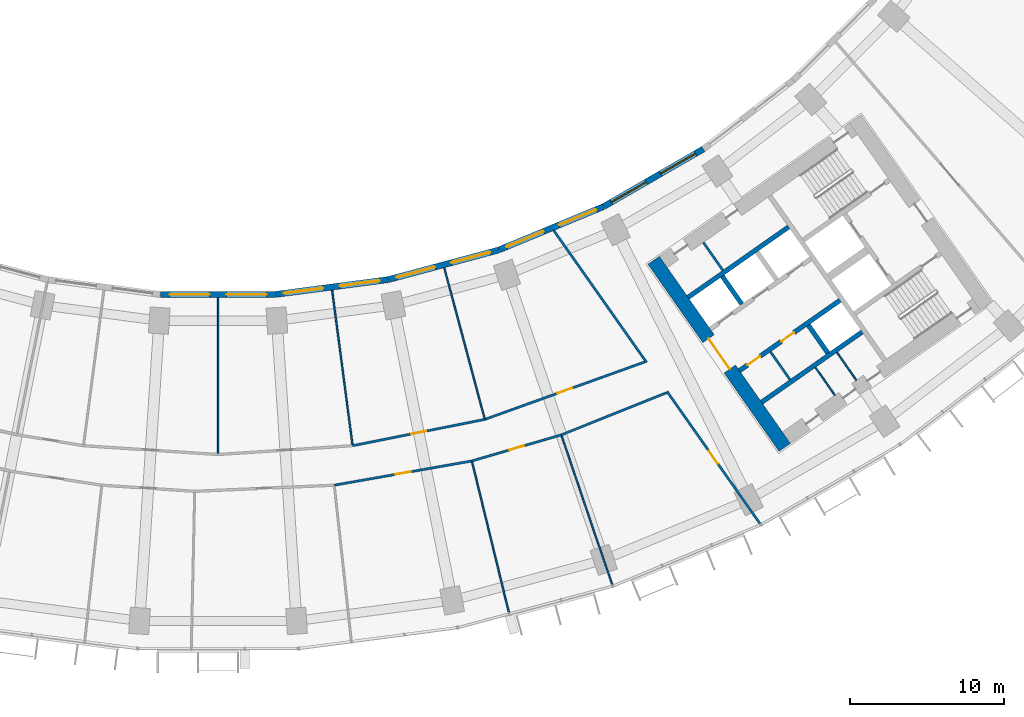
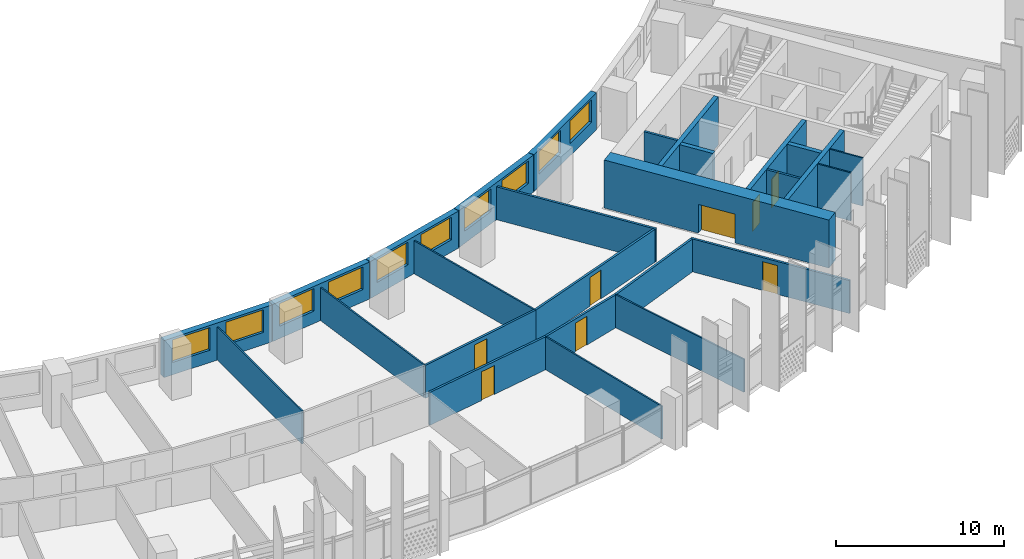
# One storey, part 6 of 31: 27 walls, 10 windows, 8 doors, 18 openings.
"""IFC4 building model written with IfcOpenShell, lengths in metres."""

import ifcopenshell
import ifcopenshell.guid

model = None  # the IFC model being written
_history = None  # IfcOwnerHistory: only IFC2X3 demands one
_inside = {}  # id of a spatial element -> (the spatial element, [elements in it])
_under = {}  # id of a project, library or spatial element -> (it, [spatial elements below it])
_declared = {}  # id of a project -> (the project, [libraries it declares])
_typed = {}  # id of a type object -> (the type object, [elements of that type])
_made_of = {}  # id of a material, layer set ... -> (it, [elements and type objects made of it])


def new_model(schema):
    """Start an empty IFC model of exactly this schema.

    Asked for "IFC4X3", IfcOpenShell would pick the latest addendum, in which some entities
    have other attributes; the version numbers below select the first issue.
    IFC2X3 requires an IfcOwnerHistory on every rooted entity: one is made here for all.
    """
    global model, _history
    if schema == "IFC4X3":
        model = ifcopenshell.file(schema_version=(4, 3, 0, 0))
    else:
        model = ifcopenshell.file(schema=schema)
    _inside.clear()
    _under.clear()
    _declared.clear()
    _typed.clear()
    _made_of.clear()
    _history = None
    if model.schema == "IFC2X3":
        org = make("IfcOrganization", Name="unknown")
        user = make(
            "IfcPersonAndOrganization",
            ThePerson=make("IfcPerson", FamilyName="unknown"),
            TheOrganization=org,
        )
        app = make(
            "IfcApplication",
            ApplicationDeveloper=org,
            Version="unknown",
            ApplicationFullName="unknown",
            ApplicationIdentifier="unknown",
        )
        _history = make(
            "IfcOwnerHistory",
            OwningUser=user,
            OwningApplication=app,
            ChangeAction="ADDED",
            CreationDate=0,
        )
    return model


def make(cls, **values):
    """One entity of the class cls with the attributes given. An attribute that is None is left unset."""
    return model.create_entity(
        cls, **{name: value for name, value in values.items() if value is not None}
    )


def rooted(cls, **values):
    """An entity with a GlobalId (a new one), such as an element, a storey or a relation."""
    return make(cls, GlobalId=ifcopenshell.guid.new(), OwnerHistory=_history, **values)


def si_unit(unit_type, name, prefix=None):
    """IfcSIUnit, for example si_unit("LENGTHUNIT", "METRE", prefix="MILLI")."""
    return make("IfcSIUnit", UnitType=unit_type, Prefix=prefix, Name=name)


def assignment(units):
    """IfcUnitAssignment: the units of a project."""
    return None if units is None else make("IfcUnitAssignment", Units=units)


def point(xyz):
    """IfcCartesianPoint."""
    return None if xyz is None else make("IfcCartesianPoint", Coordinates=xyz)


def direction(xyz):
    """IfcDirection."""
    return None if xyz is None else make("IfcDirection", DirectionRatios=xyz)


def frame(location, z_axis=None, x_axis=None):
    """IfcAxis2Placement3D, a coordinate frame: its origin and axes. An axis left out is left unset."""
    return make(
        "IfcAxis2Placement3D",
        Location=point(location),
        Axis=direction(z_axis),
        RefDirection=direction(x_axis),
    )


def frame_2d(location, x_axis=None):
    """IfcAxis2Placement2D, a coordinate frame in the plane: its origin and x axis."""
    return make(
        "IfcAxis2Placement2D", Location=point(location), RefDirection=direction(x_axis)
    )


def origin():
    """The frame at (0, 0, 0) with its axes left unset."""
    return frame((0.0, 0.0, 0.0))


def place(relative_to, where):
    """IfcLocalPlacement: puts the frame where relative to a parent placement (None: the world)."""
    return make(
        "IfcLocalPlacement", PlacementRelTo=relative_to, RelativePlacement=where
    )


def context(
    kind, dimensions, precision=None, world=None, true_north=None, identifier=None
):
    """IfcGeometricRepresentationContext, for example the 3D "Model" context."""
    return make(
        "IfcGeometricRepresentationContext",
        ContextIdentifier=identifier,
        ContextType=kind,
        CoordinateSpaceDimension=dimensions,
        Precision=precision,
        WorldCoordinateSystem=world,
        TrueNorth=true_north,
    )


def subcontext(parent, identifier, kind, view, scale=None):
    """IfcGeometricRepresentationSubContext, for example "Body" below "Model"."""
    return make(
        "IfcGeometricRepresentationSubContext",
        ContextIdentifier=identifier,
        ContextType=kind,
        ParentContext=parent,
        TargetScale=scale,
        TargetView=view,
    )


def project(units=None, contexts=None):
    """IfcProject with its units and contexts."""
    return rooted(
        "IfcProject",
        Name="project",
        RepresentationContexts=contexts,
        UnitsInContext=assignment(units),
    )


def spatial(cls, under=None, at=None, **own):
    """A site, building, storey or space (cls), placed at a placement, below another one or the project."""
    s = rooted(cls, ObjectPlacement=at, **own)
    if under is not None:
        _under.setdefault(under.id(), (under, []))[1].append(s)
    return s


def profile(cls, at=None, kind="AREA", **sizes):
    """A parametric profile (cls). Its sizes go by their IFC names, for example OverallWidth=200.0."""
    return make(cls, ProfileType=kind, Position=at, **sizes)


def rectangle(**sizes):
    """IfcRectangleProfileDef."""
    return profile("IfcRectangleProfileDef", **sizes)


def extrude(swept, where, along, depth):
    """IfcExtrudedAreaSolid: the profile swept, set in the frame where, extruded along a direction by depth."""
    return make(
        "IfcExtrudedAreaSolid",
        SweptArea=swept,
        Position=where,
        ExtrudedDirection=direction(along),
        Depth=depth,
    )


def shape(context_of_items, identifier, shape_type, items):
    """IfcShapeRepresentation: the items that make up one representation, for example the "Body"."""
    return make(
        "IfcShapeRepresentation",
        ContextOfItems=context_of_items,
        RepresentationIdentifier=identifier,
        RepresentationType=shape_type,
        Items=items,
    )


def material(Name=None, Category=None):
    """IfcMaterial."""
    return make("IfcMaterial", Name=Name, Category=Category)


def layer(
    of_material, thickness, ventilated=None, Name=None, Category=None, Priority=None
):
    """IfcMaterialLayer: one layer of a wall or slab, of a material (None: an air gap)."""
    return make(
        "IfcMaterialLayer",
        Material=of_material,
        LayerThickness=thickness,
        IsVentilated=ventilated,
        Name=Name,
        Category=Category,
        Priority=Priority,
    )


def layer_set(layers, Name=None):
    """IfcMaterialLayerSet."""
    return make("IfcMaterialLayerSet", MaterialLayers=layers, LayerSetName=Name)


def made_of(thing, what):
    """Note that an element or type object is made of a material, layer set ...; save() writes the relation."""
    if what is not None:
        _made_of.setdefault(what.id(), (what, []))[1].append(thing)
    return thing


def type_object(cls, material=None, **own):
    """A type object (cls), such as IfcWallType, which elements share."""
    return made_of(rooted(cls, **own), material)


def element(
    cls,
    number,
    at=None,
    inside=None,
    cuts=None,
    type_object=None,
    material=None,
    context=None,
    identifier="Body",
    shape_type=None,
    held_by="IfcProductDefinitionShape",
    body=None,
    shapes=None,
    **own,
):
    """One element of the class cls, such as IfcWall. Its Tag is "e" and its number.

    at: its placement. inside: the storey or other place that contains it. cuts: it is an
    opening in that element (IfcRelVoidsElement). A single representation is given by context,
    identifier, shape_type and body (its items); several are given by shapes. held_by: the class
    of the entity that holds the representations. save() writes the other relations.
    """
    e = rooted(cls, Tag="e%d" % number, ObjectPlacement=at, **own)
    if body is not None:
        shapes = [shape(context, identifier, shape_type, body)]
    if shapes is not None:
        e.Representation = make(held_by, Representations=shapes)
    if inside is not None:
        _inside.setdefault(inside.id(), (inside, []))[1].append(e)
    if cuts is not None:
        rooted(
            "IfcRelVoidsElement", RelatingBuildingElement=cuts, RelatedOpeningElement=e
        )
    if type_object is not None:
        _typed.setdefault(type_object.id(), (type_object, []))[1].append(e)
    return made_of(e, material)


def fill(opening, filler):
    """IfcRelFillsElement: the door or window that sits in an opening."""
    return rooted(
        "IfcRelFillsElement",
        RelatingOpeningElement=opening,
        RelatedBuildingElement=filler,
    )


def aggregate(whole, parts):
    """IfcRelAggregates: a whole, such as a stair, and the parts it consists of."""
    return rooted("IfcRelAggregates", RelatingObject=whole, RelatedObjects=parts)


def save(model, path):
    """Write the relations noted so far, then the file.

    IfcRelAggregates (storeys below a building ...), IfcRelContainedInSpatialStructure (elements
    in a storey), IfcRelDefinesByType, IfcRelAssociatesMaterial and IfcRelDeclares: one each for
    every whole, place, type object, material and project.
    """
    for whole, parts in _under.values():
        aggregate(whole, parts)
    for where, things in _inside.values():
        rooted(
            "IfcRelContainedInSpatialStructure",
            RelatedElements=things,
            RelatingStructure=where,
        )
    for kind, things in _typed.values():
        rooted("IfcRelDefinesByType", RelatedObjects=things, RelatingType=kind)
    for what, things in _made_of.values():
        rooted("IfcRelAssociatesMaterial", RelatedObjects=things, RelatingMaterial=what)
    for by, libraries in _declared.values():
        rooted("IfcRelDeclares", RelatingContext=by, RelatedDefinitions=libraries)
    model.write(path)


model = new_model("IFC4")

# Units and contexts
model_context = context("Model", 3, precision=1e-05, world=origin(), true_north=direction((0.0, 1.0)))
body_context = subcontext(model_context, "Body", "Model", "MODEL_VIEW")
ifc_project = project(units=[si_unit("LENGTHUNIT", "METRE"), si_unit("AREAUNIT", "SQUARE_METRE"), si_unit("VOLUMEUNIT", "CUBIC_METRE"), si_unit("PLANEANGLEUNIT", "RADIAN"), si_unit("MASSUNIT", "GRAM", prefix="KILO")], contexts=[model_context])

# Site, building, storey
site_placement = place(None, origin())
site = spatial("IfcSite", under=ifc_project, at=site_placement, CompositionType="ELEMENT")
building_placement = place(site_placement, origin())
building = spatial("IfcBuilding", under=site, at=building_placement, Name="Qamariyya Broadcast Tower", CompositionType="ELEMENT")
storey_placement = place(building_placement, frame((0.0, 0.0, 48.10009765625)))
storey = spatial("IfcBuildingStorey", under=building, at=storey_placement, Name="L08", CompositionType="ELEMENT", Elevation=48.10009765625)

# Wall, opening, door
ifc_material_1 = material(Name="Concrete C70/85", Category="concrete")
ifc_layer_1 = layer(ifc_material_1, 0.89990234375)
ifc_layer_set_1 = layer_set([ifc_layer_1], Name="Core wall 900 mm Concrete C70/85")
wall_type_1 = type_object("IfcWallType", Name="Core wall 900 mm Concrete C70/85", PredefinedType="SHEAR", material=ifc_layer_set_1)
wall_1_placement = place(storey_placement, frame((36.716796875, -66.3369140625, 0.0), z_axis=(0.0, 0.0, 1.0), x_axis=(-0.573577477574, 0.819151315216, 0.0)))
wall_1 = element("IfcWall", 1, at=wall_1_placement, inside=storey, type_object=wall_type_1, Name="k-E-L08-WA", PredefinedType="SHEAR", context=body_context, shape_type="SweptSolid", body=[
    extrude(rectangle(XDim=14.800048828125, YDim=0.89990234375, at=frame_2d((7.39990234375, 0.0))), origin(), (0.0, 0.0, 1.0), 3.5),
])
opening_1_placement = place(wall_1_placement, frame((6.199951171875, 0.0, 0.0)))
opening_1 = element("IfcOpeningElement", 2, at=opening_1_placement, cuts=wall_1, Name="Opening KD3-E1", PredefinedType="OPENING", context=body_context, shape_type="SweptSolid", body=[
    extrude(rectangle(XDim=2.39990234375, YDim=2.10009765625, at=frame_2d((1.199951171875, 1.050048828125))), frame((0.0, 0.4599609375, 0.0), z_axis=(0.0, -1.0, 0.0), x_axis=(1.0, 0.0, 0.0)), (0.0, 0.0, 1.0), 0.919921875),
])
ifc_material_2 = material(Name="Steel fire-resisting door leaf", Category="steel")
door_type_1 = type_object("IfcDoorType", Name="Lift lobby door KD3", OperationType="DOUBLE_DOOR_SINGLE_SWING", PredefinedType="DOOR", material=ifc_material_2)
door_1_placement = place(opening_1_placement, origin())
door_1 = element("IfcDoor", 3, at=door_1_placement, inside=storey, type_object=door_type_1, Name="k-E-L08-WA-D1", OperationType="DOUBLE_DOOR_SINGLE_SWING", OverallHeight=2.10009765625, OverallWidth=2.39990234375, PredefinedType="DOOR", context=body_context, shape_type="SweptSolid", body=[
    extrude(rectangle(XDim=2.39990234375, YDim=2.10009765625, at=frame_2d((1.199951171875, 1.050048828125))), frame((0.0, 0.02490234375, 0.0), z_axis=(0.0, -1.0, 0.0), x_axis=(1.0, 0.0, 0.0)), (0.0, 0.0, 1.0), 0.050048828125),
])
fill(opening_1, door_1)

ifc_material_3 = material(Name="Gypsum board partition")
ifc_layer_2 = layer(ifc_material_3, 0.14990234375)
ifc_layer_set_2 = layer_set([ifc_layer_2], Name="Corridor partition 150 EI 60")
wall_type_2 = type_object("IfcWallType", Name="Corridor partition 150 EI 60", PredefinedType="PARTITIONING", material=ifc_layer_set_2)
wall_2_placement = place(storey_placement, frame((16.446044921875, -67.21728515625, 0.0), z_axis=(0.0, 0.0, 1.0), x_axis=(-0.984813412134, -0.173616080133, 0.0)))
wall_2 = element("IfcWall", 4, at=wall_2_placement, inside=storey, type_object=wall_type_2, Name="Partition L08-025", PredefinedType="PARTITIONING", context=body_context, shape_type="SweptSolid", body=[
    extrude(rectangle(XDim=9.0517578125, YDim=0.14990234375, at=frame_2d((4.52587890625, 0.0))), origin(), (0.0, 0.0, 1.0), 2.39990234375),
])
opening_2_placement = place(wall_2_placement, frame((4.02587890625, 0.0, 0.0)))
opening_2 = element("IfcOpeningElement", 5, at=opening_2_placement, cuts=wall_2, Name="Opening L08-D07", PredefinedType="OPENING", context=body_context, shape_type="SweptSolid", body=[
    extrude(rectangle(XDim=1.0, YDim=2.10009765625, at=frame_2d((0.5, 1.050048828125))), frame((0.0, 0.0849609375, 0.0), z_axis=(0.0, -1.0, 0.0), x_axis=(1.0, 0.0, 0.0)), (0.0, 0.0, 1.0), 0.169921875),
])
ifc_material_4 = material(Name="Timber fire door leaf", Category="wood")
door_type_2 = type_object("IfcDoorType", Name="Fire door 1000 x 2100 FD60", OperationType="NOTDEFINED", PredefinedType="DOOR", material=ifc_material_4)
door_2_placement = place(opening_2_placement, origin())
door_2 = element("IfcDoor", 6, at=door_2_placement, inside=storey, type_object=door_type_2, Name="Door L08-D07", OperationType="SINGLE_SWING_RIGHT", OverallHeight=2.10009765625, OverallWidth=1.0, PredefinedType="DOOR", context=body_context, shape_type="SweptSolid", body=[
    extrude(rectangle(XDim=1.0, YDim=2.10009765625, at=frame_2d((0.5, 1.050048828125))), frame((0.0, 0.02490234375, 0.0), z_axis=(0.0, -1.0, 0.0), x_axis=(1.0, 0.0, 0.0)), (0.0, 0.0, 1.0), 0.050048828125),
])
fill(opening_2, door_2)

wall_3_placement = place(storey_placement, frame((8.71923828125, -66.228515625, 0.0), z_axis=(0.0, 0.0, 1.0), x_axis=(0.980786466832, 0.195084357342, 0.0)))
wall_3 = element("IfcWall", 7, at=wall_3_placement, inside=storey, type_object=wall_type_2, Name="Partition L08-027", PredefinedType="PARTITIONING", context=body_context, shape_type="SweptSolid", body=[
    extrude(rectangle(XDim=8.73779296875, YDim=0.14990234375, at=frame_2d((4.368896484375, 0.0))), origin(), (0.0, 0.0, 1.0), 2.39990234375),
])
opening_3_placement = place(wall_3_placement, frame((3.868896484375, 0.0, 0.0)))
opening_3 = element("IfcOpeningElement", 8, at=opening_3_placement, cuts=wall_3, Name="Opening L08-D15", PredefinedType="OPENING", context=body_context, shape_type="SweptSolid", body=[
    extrude(rectangle(XDim=1.0, YDim=2.10009765625, at=frame_2d((0.5, 1.050048828125))), frame((0.0, 0.0849609375, 0.0), z_axis=(0.0, -1.0, 0.0), x_axis=(1.0, 0.0, 0.0)), (0.0, 0.0, 1.0), 0.169921875),
])
door_3_placement = place(opening_3_placement, origin())
door_3 = element("IfcDoor", 9, at=door_3_placement, inside=storey, type_object=door_type_2, Name="Door L08-D15", OperationType="SINGLE_SWING_RIGHT", OverallHeight=2.10009765625, OverallWidth=1.0, PredefinedType="DOOR", context=body_context, shape_type="SweptSolid", body=[
    extrude(rectangle(XDim=1.0, YDim=2.10009765625, at=frame_2d((0.5, 1.050048828125))), frame((0.0, 0.02490234375, 0.0), z_axis=(0.0, -1.0, 0.0), x_axis=(1.0, 0.0, 0.0)), (0.0, 0.0, 1.0), 0.050048828125),
])
fill(opening_3, door_3)

wall_4_placement = place(storey_placement, frame((22.24365234375, -65.527587890625, 0.0), z_axis=(0.0, 0.0, 1.0), x_axis=(-0.960056580345, -0.279805937279, 0.0)))
wall_4 = element("IfcWall", 10, at=wall_4_placement, inside=storey, type_object=wall_type_2, Name="Partition L08-029", PredefinedType="PARTITIONING", context=body_context, shape_type="SweptSolid", body=[
    extrude(rectangle(XDim=6.038818359375, YDim=0.14990234375, at=frame_2d((3.01953125, 0.0))), origin(), (0.0, 0.0, 1.0), 2.39990234375),
])
opening_4_placement = place(wall_4_placement, frame((2.51953125, 0.0, 0.0)))
opening_4 = element("IfcOpeningElement", 11, at=opening_4_placement, cuts=wall_4, Name="Opening L08-D08", PredefinedType="OPENING", context=body_context, shape_type="SweptSolid", body=[
    extrude(rectangle(XDim=1.0, YDim=2.10009765625, at=frame_2d((0.5, 1.050048828125))), frame((0.0, 0.0849609375, 0.0), z_axis=(0.0, -1.0, 0.0), x_axis=(1.0, 0.0, 0.0)), (0.0, 0.0, 1.0), 0.169921875),
])
door_4_placement = place(opening_4_placement, origin())
door_4 = element("IfcDoor", 12, at=door_4_placement, inside=storey, type_object=door_type_2, Name="Door L08-D08", OperationType="SINGLE_SWING_RIGHT", OverallHeight=2.10009765625, OverallWidth=1.0, PredefinedType="DOOR", context=body_context, shape_type="SweptSolid", body=[
    extrude(rectangle(XDim=1.0, YDim=2.10009765625, at=frame_2d((0.5, 1.050048828125))), frame((0.0, 0.02490234375, 0.0), z_axis=(0.0, -1.0, 0.0), x_axis=(1.0, 0.0, 0.0)), (0.0, 0.0, 1.0), 0.050048828125),
])
fill(opening_4, door_4)

wall_5_placement = place(storey_placement, frame((17.2890625, -64.52392578125, 0.0), z_axis=(0.0, 0.0, 1.0), x_axis=(0.941106453562, 0.338110400705, 0.0)))
wall_5 = element("IfcWall", 13, at=wall_5_placement, inside=storey, type_object=wall_type_2, Name="Partition L08-030", PredefinedType="PARTITIONING", context=body_context, shape_type="SweptSolid", body=[
    extrude(rectangle(XDim=11.015869140625, YDim=0.14990234375, at=frame_2d((5.5078125, 0.0))), origin(), (0.0, 0.0, 1.0), 2.39990234375),
])
opening_5_placement = place(wall_5_placement, frame((5.008056640625, 0.0, 0.0)))
opening_5 = element("IfcOpeningElement", 14, at=opening_5_placement, cuts=wall_5, Name="Opening L08-D16", PredefinedType="OPENING", context=body_context, shape_type="SweptSolid", body=[
    extrude(rectangle(XDim=1.0, YDim=2.10009765625, at=frame_2d((0.5, 1.050048828125))), frame((0.0, 0.0849609375, 0.0), z_axis=(0.0, -1.0, 0.0), x_axis=(1.0, 0.0, 0.0)), (0.0, 0.0, 1.0), 0.169921875),
])
door_5_placement = place(opening_5_placement, origin())
door_5 = element("IfcDoor", 15, at=door_5_placement, inside=storey, type_object=door_type_2, Name="Door L08-D16", OperationType="SINGLE_SWING_RIGHT", OverallHeight=2.10009765625, OverallWidth=1.0, PredefinedType="DOOR", context=body_context, shape_type="SweptSolid", body=[
    extrude(rectangle(XDim=1.0, YDim=2.10009765625, at=frame_2d((0.5, 1.050048828125))), frame((0.0, 0.02490234375, 0.0), z_axis=(0.0, -1.0, 0.0), x_axis=(1.0, 0.0, 0.0)), (0.0, 0.0, 1.0), 0.050048828125),
])
fill(opening_5, door_5)

# Walls
wall_6_placement = place(storey_placement, frame((21.748291015625, -52.2763671875, 0.0), z_axis=(0.0, 0.0, 1.0), x_axis=(0.575419434668, -0.817858468322, 0.0)))
element("IfcWall", 16, at=wall_6_placement, inside=storey, type_object=wall_type_2, Name="Partition L08-032", PredefinedType="PARTITIONING", context=body_context, shape_type="SweptSolid", body=[
    extrude(rectangle(XDim=10.46484375, YDim=0.14990234375, at=frame_2d((5.232421875, 0.0))), origin(), (0.0, 0.0, 1.0), 2.39990234375),
])
wall_7_placement = place(storey_placement, frame((22.24365234375, -65.527587890625, 0.0), z_axis=(0.0, 0.0, 1.0), x_axis=(0.928339065762, 0.371734554462, 0.0)))
element("IfcWall", 17, at=wall_7_placement, inside=storey, type_object=wall_type_2, Name="Partition L08-033", PredefinedType="PARTITIONING", context=body_context, shape_type="SweptSolid", body=[
    extrude(rectangle(XDim=7.343994140625, YDim=0.14990234375, at=frame_2d((3.671875, 0.0))), origin(), (0.0, 0.0, 1.0), 2.39990234375),
])

# Wall, opening, door
wall_8_placement = place(storey_placement, frame((35.11328125, -71.2724609375, 0.0), z_axis=(0.0, 0.0, 1.0), x_axis=(-0.575411972256, 0.817863718589, 0.0)))
wall_8 = element("IfcWall", 18, at=wall_8_placement, inside=storey, type_object=wall_type_2, Name="Partition L08-035", PredefinedType="PARTITIONING", context=body_context, shape_type="SweptSolid", body=[
    extrude(rectangle(XDim=10.471435546875, YDim=0.14990234375, at=frame_2d((5.23583984375, 0.0))), origin(), (0.0, 0.0, 1.0), 2.39990234375),
])
opening_6_placement = place(wall_8_placement, frame((4.735595703125, 0.0, 0.0)))
opening_6 = element("IfcOpeningElement", 19, at=opening_6_placement, cuts=wall_8, Name="Opening L08-D09", PredefinedType="OPENING", context=body_context, shape_type="SweptSolid", body=[
    extrude(rectangle(XDim=1.0, YDim=2.10009765625, at=frame_2d((0.5, 1.050048828125))), frame((0.0, 0.0849609375, 0.0), z_axis=(0.0, -1.0, 0.0), x_axis=(1.0, 0.0, 0.0)), (0.0, 0.0, 1.0), 0.169921875),
])
door_6_placement = place(opening_6_placement, origin())
door_6 = element("IfcDoor", 20, at=door_6_placement, inside=storey, type_object=door_type_2, Name="Door L08-D09", OperationType="SINGLE_SWING_RIGHT", OverallHeight=2.10009765625, OverallWidth=1.0, PredefinedType="DOOR", context=body_context, shape_type="SweptSolid", body=[
    extrude(rectangle(XDim=1.0, YDim=2.10009765625, at=frame_2d((0.5, 1.050048828125))), frame((0.0, 0.02490234375, 0.0), z_axis=(0.0, -1.0, 0.0), x_axis=(1.0, 0.0, 0.0)), (0.0, 0.0, 1.0), 0.050048828125),
])
fill(opening_6, door_6)

# Walls
ifc_material_5 = material(Name="Gypsum board partition on steel studs", Category="steel")
ifc_layer_3 = layer(ifc_material_5, 0.14990234375)
ifc_layer_set_3 = layer_set([ifc_layer_3], Name="Gypsum board partition 150 mm")
wall_type_3 = type_object("IfcWallType", Name="Gypsum board partition 150 mm", PredefinedType="PARTITIONING", material=ifc_layer_set_3)
for number, where, z_axis, x_axis, name in (
    (21, (35.79833984375, -60.143798828125, 0.0), (0.0, 0.0, 1.0), (0.573633636671, -0.819111989218, 0.0), "k-E-L08-SC235"),
    (22, (32.709228515625, -54.860107421875, 0.0), (0.0, 0.0, 1.0), (-0.573633636671, 0.819111989218, 0.0), "k-E-L08-NP285"),
):
    element("IfcWall", number, at=place(storey_placement, frame(where, z_axis=z_axis, x_axis=x_axis)), inside=storey, type_object=wall_type_3, Name=name, PredefinedType="PARTITIONING", context=body_context, shape_type="SweptSolid", body=[
        extrude(rectangle(XDim=2.199951171875, YDim=0.14990234375, at=frame_2d((1.10009765625, 0.0))), origin(), (0.0, 0.0, 1.0), 3.5),
    ])
ifc_material_6 = material(Name="Concrete C60/75", Category="concrete")
ifc_layer_4 = layer(ifc_material_6, 0.300048828125)
ifc_layer_set_4 = layer_set([ifc_layer_4], Name="Lift shaft wall 300 mm Concrete C60/75")
wall_type_4 = type_object("IfcWallType", Name="Lift shaft wall 300 mm Concrete C60/75", PredefinedType="SOLIDWALL", material=ifc_layer_set_4)
wall_9_placement = place(storey_placement, frame((30.460693359375, -56.61767578125, 0.0), z_axis=(0.0, 0.0, 1.0), x_axis=(0.819142461705, 0.573590121456, 0.0)))
element("IfcWall", 23, at=wall_9_placement, inside=storey, type_object=wall_type_4, Name="k-E-L08-NB0", PredefinedType="SOLIDWALL", context=body_context, shape_type="SweptSolid", body=[
    extrude(rectangle(XDim=7.949951171875, YDim=0.300048828125, at=frame_2d((3.97509765625, 0.0))), origin(), (0.0, 0.0, 1.0), 3.5),
])
wall_10_placement = place(storey_placement, frame((33.9384765625, -57.051513671875, 0.0), z_axis=(0.0, 0.0, 1.0), x_axis=(-0.573581496053, 0.819148501424, 0.0)))
element("IfcWall", 24, at=wall_10_placement, inside=storey, type_object=wall_type_4, Name="k-E-L08-ND0", PredefinedType="SOLIDWALL", context=body_context, shape_type="SweptSolid", body=[
    extrude(rectangle(XDim=2.2001953125, YDim=0.300048828125, at=frame_2d((1.10009765625, 0.0))), origin(), (0.0, 0.0, 1.0), 3.5),
])

# Wall, openings, doors
wall_11_placement = place(storey_placement, frame((33.787353515625, -61.368896484375, 0.0), z_axis=(0.0, 0.0, 1.0), x_axis=(0.819152564888, 0.573575692858, 0.0)))
wall_11 = element("IfcWall", 25, at=wall_11_placement, inside=storey, type_object=wall_type_4, Name="k-E-L08-SF0", PredefinedType="SOLIDWALL", context=body_context, shape_type="SweptSolid", body=[
    extrude(rectangle(XDim=7.9501953125, YDim=0.300048828125, at=frame_2d((3.97509765625, 0.0))), origin(), (0.0, 0.0, 1.0), 3.5),
])
opening_7_placement = place(wall_11_placement, frame((0.637451171875, 0.0, 0.0)))
opening_7 = element("IfcOpeningElement", 26, at=opening_7_placement, cuts=wall_11, Name="Opening KD6-E1", PredefinedType="OPENING", context=body_context, shape_type="SweptSolid", body=[
    extrude(rectangle(XDim=1.0, YDim=2.10009765625, at=frame_2d((0.5, 1.050048828125))), frame((0.0, 0.159912109375, 0.0), z_axis=(0.0, -1.0, 0.0), x_axis=(1.0, 0.0, 0.0)), (0.0, 0.0, 1.0), 0.320068359375),
])
opening_8_placement = place(wall_11_placement, frame((3.3125, 0.0, 0.0)))
opening_8 = element("IfcOpeningElement", 27, at=opening_8_placement, cuts=wall_11, Name="Opening KD4-E1", PredefinedType="OPENING", context=body_context, shape_type="SweptSolid", body=[
    extrude(rectangle(XDim=1.0, YDim=2.10009765625, at=frame_2d((0.5, 1.050048828125))), frame((0.0, 0.159912109375, 0.0), z_axis=(0.0, -1.0, 0.0), x_axis=(1.0, 0.0, 0.0)), (0.0, 0.0, 1.0), 0.320068359375),
])
door_type_3 = type_object("IfcDoorType", Name="Core room door KD6", OperationType="SINGLE_SWING_LEFT", PredefinedType="DOOR", material=ifc_material_2)
door_7_placement = place(opening_7_placement, origin())
door_7 = element("IfcDoor", 28, at=door_7_placement, inside=storey, type_object=door_type_3, Name="k-E-L08-SF0-D5", OperationType="SINGLE_SWING_LEFT", OverallHeight=2.10009765625, OverallWidth=1.0, PredefinedType="DOOR", context=body_context, shape_type="SweptSolid", body=[
    extrude(rectangle(XDim=1.0, YDim=2.10009765625, at=frame_2d((0.5, 1.050048828125))), frame((0.0, 0.02490234375, 0.0), z_axis=(0.0, -1.0, 0.0), x_axis=(1.0, 0.0, 0.0)), (0.0, 0.0, 1.0), 0.050048828125),
])
fill(opening_7, door_7)
door_type_4 = type_object("IfcDoorType", Name="Riser and plant door KD4", OperationType="SINGLE_SWING_LEFT", PredefinedType="DOOR", material=ifc_material_2)
door_8_placement = place(opening_8_placement, origin())
door_8 = element("IfcDoor", 29, at=door_8_placement, inside=storey, type_object=door_type_4, Name="k-E-L08-SF0-D6", OperationType="SINGLE_SWING_RIGHT", OverallHeight=2.10009765625, OverallWidth=1.0, PredefinedType="DOOR", context=body_context, shape_type="SweptSolid", body=[
    extrude(rectangle(XDim=1.0, YDim=2.10009765625, at=frame_2d((0.5, 1.050048828125))), frame((0.0, 0.02490234375, 0.0), z_axis=(0.0, -1.0, 0.0), x_axis=(1.0, 0.0, 0.0)), (0.0, 0.0, 1.0), 0.050048828125),
])
fill(opening_8, door_8)

# Walls
wall_12_placement = place(storey_placement, frame((35.22119140625, -63.41650390625, 0.0), z_axis=(0.0, 0.0, 1.0), x_axis=(0.819166993208, 0.573555086491, 0.0)))
element("IfcWall", 30, at=wall_12_placement, inside=storey, type_object=wall_type_4, Name="k-E-L08-SB0", PredefinedType="SOLIDWALL", context=body_context, shape_type="SweptSolid", body=[
    extrude(rectangle(XDim=7.9501953125, YDim=0.300048828125, at=frame_2d((3.97509765625, 0.0))), origin(), (0.0, 0.0, 1.0), 3.5),
])
wall_13_placement = place(storey_placement, frame((38.255859375, -58.423095703125, 0.0), z_axis=(0.0, 0.0, 1.0), x_axis=(0.573633636671, -0.819111989218, 0.0)))
element("IfcWall", 31, at=wall_13_placement, inside=storey, type_object=wall_type_4, Name="k-E-L08-SD1", PredefinedType="SOLIDWALL", context=body_context, shape_type="SweptSolid", body=[
    extrude(rectangle(XDim=2.199951171875, YDim=0.300048828125, at=frame_2d((1.10009765625, 0.0))), origin(), (0.0, 0.0, 1.0), 3.5),
])
ifc_layer_5 = layer(ifc_material_3, 0.10009765625)
ifc_layer_set_5 = layer_set([ifc_layer_5], Name="Partition 100")
wall_type_5 = type_object("IfcWallType", Name="Partition 100", PredefinedType="PARTITIONING", material=ifc_layer_set_5)
for number, where, z_axis, x_axis, name in (
    (32, (0.0, -56.62939453125, 0.0), (0.0, 0.0, 1.0), (0.0, -1.0, 0.0), "Partition L08-023"),
    (33, (7.3916015625, -56.144775390625, 0.0), (0.0, 0.0, 1.0), (0.130538336764, -0.991443262439, 0.0), "Partition L08-024"),
    (34, (14.65673828125, -54.69970703125, 0.0), (0.0, 0.0, 1.0), (0.258825935876, -0.965923979885, 0.0), "Partition L08-028"),
):
    element("IfcWall", number, at=place(storey_placement, frame(where, z_axis=z_axis, x_axis=x_axis)), inside=storey, type_object=wall_type_5, Name=name, PredefinedType="PARTITIONING", context=body_context, shape_type="SweptSolid", body=[
        extrude(rectangle(XDim=10.095703125, YDim=0.10009765625, at=frame_2d((5.0478515625, 0.0))), origin(), (0.0, 0.0, 1.0), 2.39990234375),
    ])
wall_14_placement = place(storey_placement, frame((18.845947265625, -77.0263671875, 0.0), z_axis=(0.0, 0.0, 1.0), x_axis=(-0.237655344985, 0.971349544191, 0.0)))
element("IfcWall", 35, at=wall_14_placement, inside=storey, type_object=wall_type_5, Name="Partition L08-031", PredefinedType="PARTITIONING", context=body_context, shape_type="SweptSolid", body=[
    extrude(rectangle(XDim=10.023193359375, YDim=0.10009765625, at=frame_2d((5.01171875, 0.0))), origin(), (0.0, 0.0, 1.0), 2.39990234375),
])
wall_15_placement = place(storey_placement, frame((25.538330078125, -75.233642578125, 0.0), z_axis=(0.0, 0.0, 1.0), x_axis=(-0.32142736677, 0.946934236308, 0.0)))
element("IfcWall", 36, at=wall_15_placement, inside=storey, type_object=wall_type_5, Name="Partition L08-034", PredefinedType="PARTITIONING", context=body_context, shape_type="SweptSolid", body=[
    extrude(rectangle(XDim=10.175048828125, YDim=0.10009765625, at=frame_2d((5.08740234375, 0.0))), origin(), (0.0, 0.0, 1.0), 2.39990234375),
])
ifc_material_7 = material(Name="Fire-rated gypsum shaft liner on steel studs", Category="steel")
ifc_layer_6 = layer(ifc_material_7, 0.10009765625)
ifc_layer_set_6 = layer_set([ifc_layer_6], Name="Riser wall 100 mm")
wall_type_6 = type_object("IfcWallType", Name="Riser wall 100 mm", PredefinedType="PLUMBINGWALL", material=ifc_layer_set_6)
for number, where, z_axis, x_axis, name in (
    (37, (38.706787109375, -61.1591796875, 0.0), (0.0, 0.0, 1.0), (0.573633636671, -0.819111989218, 0.0), "k-E-L08-SP415"),
    (38, (40.099365234375, -60.18408203125, 0.0), (0.0, 0.0, 1.0), (0.573633636671, -0.819111989218, 0.0), "k-E-L08-SP585"),
):
    element("IfcWall", number, at=place(storey_placement, frame(where, z_axis=z_axis, x_axis=x_axis)), inside=storey, type_object=wall_type_6, Name=name, PredefinedType="PLUMBINGWALL", context=body_context, shape_type="SweptSolid", body=[
        extrude(rectangle(XDim=2.199951171875, YDim=0.10009765625, at=frame_2d((1.10009765625, 0.0))), origin(), (0.0, 0.0, 1.0), 3.5),
    ])

# Wall, openings, windows
ifc_material_8 = material(Name="Terracotta", Category="masonry")
ifc_layer_7 = layer(ifc_material_8, 0.39990234375)
ifc_layer_set_7 = layer_set([ifc_layer_7], Name="Terracotta clad wall 400")
wall_type_7 = type_object("IfcWallType", Name="Terracotta clad wall 400", PredefinedType="SOLIDWALL", material=ifc_layer_set_7)
wall_16_placement = place(storey_placement, frame((18.20166015625, -53.542724609375, 0.0), z_axis=(0.0, 0.0, 1.0), x_axis=(-0.965924637935, -0.25882348006, 0.0)))
wall_16 = element("IfcWall", 39, at=wall_16_placement, inside=storey, type_object=wall_type_7, Name="e-wl-L08-in100", PredefinedType="SOLIDWALL", context=body_context, shape_type="SweptSolid", body=[
    extrude(rectangle(XDim=7.447021484375, YDim=0.39990234375, at=frame_2d((3.7236328125, 0.0))), origin(), (0.0, 0.0, 1.0), 2.699951171875),
])
opening_9_placement = place(wall_16_placement, frame((4.266357421875, 0.0, 0.89990234375)))
opening_9 = element("IfcOpeningElement", 40, at=opening_9_placement, cuts=wall_16, Name="Opening W1", PredefinedType="OPENING", context=body_context, shape_type="SweptSolid", body=[
    extrude(rectangle(XDim=2.60009765625, YDim=1.64990234375, at=frame_2d((1.300048828125, 0.824951171875))), frame((0.0, 0.2099609375, 0.0), z_axis=(0.0, -1.0, 0.0), x_axis=(1.0, 0.0, 0.0)), (0.0, 0.0, 1.0), 0.419921875),
])
opening_10_placement = place(wall_16_placement, frame((0.580810546875, 0.0, 0.89990234375)))
opening_10 = element("IfcOpeningElement", 41, at=opening_10_placement, cuts=wall_16, Name="Opening W1", PredefinedType="OPENING", context=body_context, shape_type="SweptSolid", body=[
    extrude(rectangle(XDim=2.60009765625, YDim=1.64990234375, at=frame_2d((1.300048828125, 0.824951171875))), frame((0.0, 0.2099609375, 0.0), z_axis=(0.0, -1.0, 0.0), x_axis=(1.0, 0.0, 0.0)), (0.0, 0.0, 1.0), 0.419921875),
])
ifc_material_9 = material(Name="Clear low-e double glazed unit in aluminium frame", Category="aluminium")
window_type = type_object("IfcWindowType", Name="Ribbon window 2600 x 1650", PartitioningType="SINGLE_PANEL", PredefinedType="WINDOW", material=ifc_material_9)
window_1_placement = place(opening_9_placement, origin())
window_1 = element("IfcWindow", 42, at=window_1_placement, inside=storey, type_object=window_type, Name="e-w-L08-in10-0", OverallHeight=1.64990234375, OverallWidth=2.60009765625, PartitioningType="SINGLE_PANEL", PredefinedType="WINDOW", context=body_context, shape_type="SweptSolid", body=[
    extrude(rectangle(XDim=2.60009765625, YDim=1.64990234375, at=frame_2d((1.300048828125, 0.824951171875))), frame((0.0, 0.030029296875, 0.0), z_axis=(0.0, -1.0, 0.0), x_axis=(1.0, 0.0, 0.0)), (0.0, 0.0, 1.0), 0.06005859375),
])
fill(opening_9, window_1)
window_2_placement = place(opening_10_placement, origin())
window_2 = element("IfcWindow", 43, at=window_2_placement, inside=storey, type_object=window_type, Name="e-w-L08-in10-1", OverallHeight=1.64990234375, OverallWidth=2.60009765625, PartitioningType="SINGLE_PANEL", PredefinedType="WINDOW", context=body_context, shape_type="SweptSolid", body=[
    extrude(rectangle(XDim=2.60009765625, YDim=1.64990234375, at=frame_2d((1.300048828125, 0.824951171875))), frame((0.0, 0.030029296875, 0.0), z_axis=(0.0, -1.0, 0.0), x_axis=(1.0, 0.0, 0.0)), (0.0, 0.0, 1.0), 0.06005859375),
])
fill(opening_10, window_2)

wall_17_placement = place(storey_placement, frame((24.96484375, -50.738037109375, 0.0), z_axis=(0.0, 0.0, 1.0), x_axis=(-0.923891626322, -0.382654234018, 0.0)))
wall_17 = element("IfcWall", 44, at=wall_17_placement, inside=storey, type_object=wall_type_7, Name="e-wl-L08-in110", PredefinedType="SOLIDWALL", context=body_context, shape_type="SweptSolid", body=[
    extrude(rectangle(XDim=7.295654296875, YDim=0.39990234375, at=frame_2d((3.64794921875, 0.0))), origin(), (0.0, 0.0, 1.0), 2.699951171875),
])
opening_11_placement = place(wall_17_placement, frame((4.190673828125, 0.0, 0.89990234375)))
opening_11 = element("IfcOpeningElement", 45, at=opening_11_placement, cuts=wall_17, Name="Opening W1", PredefinedType="OPENING", context=body_context, shape_type="SweptSolid", body=[
    extrude(rectangle(XDim=2.60009765625, YDim=1.64990234375, at=frame_2d((1.300048828125, 0.824951171875))), frame((0.0, 0.2099609375, 0.0), z_axis=(0.0, -1.0, 0.0), x_axis=(1.0, 0.0, 0.0)), (0.0, 0.0, 1.0), 0.419921875),
])
opening_12_placement = place(wall_17_placement, frame((0.505126953125, 0.0, 0.89990234375)))
opening_12 = element("IfcOpeningElement", 46, at=opening_12_placement, cuts=wall_17, Name="Opening W1", PredefinedType="OPENING", context=body_context, shape_type="SweptSolid", body=[
    extrude(rectangle(XDim=2.60009765625, YDim=1.64990234375, at=frame_2d((1.300048828125, 0.824951171875))), frame((0.0, 0.2099609375, 0.0), z_axis=(0.0, -1.0, 0.0), x_axis=(1.0, 0.0, 0.0)), (0.0, 0.0, 1.0), 0.419921875),
])
window_3_placement = place(opening_11_placement, origin())
window_3 = element("IfcWindow", 47, at=window_3_placement, inside=storey, type_object=window_type, Name="e-w-L08-in11-0", OverallHeight=1.64990234375, OverallWidth=2.60009765625, PartitioningType="SINGLE_PANEL", PredefinedType="WINDOW", context=body_context, shape_type="SweptSolid", body=[
    extrude(rectangle(XDim=2.60009765625, YDim=1.64990234375, at=frame_2d((1.300048828125, 0.824951171875))), frame((0.0, 0.030029296875, 0.0), z_axis=(0.0, -1.0, 0.0), x_axis=(1.0, 0.0, 0.0)), (0.0, 0.0, 1.0), 0.06005859375),
])
fill(opening_11, window_3)
window_4_placement = place(opening_12_placement, origin())
window_4 = element("IfcWindow", 48, at=window_4_placement, inside=storey, type_object=window_type, Name="e-w-L08-in11-1", OverallHeight=1.64990234375, OverallWidth=2.60009765625, PartitioningType="SINGLE_PANEL", PredefinedType="WINDOW", context=body_context, shape_type="SweptSolid", body=[
    extrude(rectangle(XDim=2.60009765625, YDim=1.64990234375, at=frame_2d((1.300048828125, 0.824951171875))), frame((0.0, 0.030029296875, 0.0), z_axis=(0.0, -1.0, 0.0), x_axis=(1.0, 0.0, 0.0)), (0.0, 0.0, 1.0), 0.06005859375),
])
fill(opening_12, window_4)

wall_18_placement = place(storey_placement, frame((31.439453125, -47.007568359375, 0.0), z_axis=(0.0, 0.0, 1.0), x_axis=(-0.866037641005, -0.499978803913, 0.0)))
wall_18 = element("IfcWall", 49, at=wall_18_placement, inside=storey, type_object=wall_type_7, Name="e-wl-L08-in120", PredefinedType="SOLIDWALL", context=body_context, shape_type="SweptSolid", body=[
    extrude(rectangle(XDim=7.447021484375, YDim=0.39990234375, at=frame_2d((3.7236328125, 0.0))), origin(), (0.0, 0.0, 1.0), 2.699951171875),
])
opening_13_placement = place(wall_18_placement, frame((4.266357421875, 0.0, 0.89990234375)))
opening_13 = element("IfcOpeningElement", 50, at=opening_13_placement, cuts=wall_18, Name="Opening W1", PredefinedType="OPENING", context=body_context, shape_type="SweptSolid", body=[
    extrude(rectangle(XDim=2.60009765625, YDim=1.64990234375, at=frame_2d((1.300048828125, 0.824951171875))), frame((0.0, 0.2099609375, 0.0), z_axis=(0.0, -1.0, 0.0), x_axis=(1.0, 0.0, 0.0)), (0.0, 0.0, 1.0), 0.419921875),
])
opening_14_placement = place(wall_18_placement, frame((0.580810546875, 0.0, 0.89990234375)))
opening_14 = element("IfcOpeningElement", 51, at=opening_14_placement, cuts=wall_18, Name="Opening W1", PredefinedType="OPENING", context=body_context, shape_type="SweptSolid", body=[
    extrude(rectangle(XDim=2.60009765625, YDim=1.64990234375, at=frame_2d((1.300048828125, 0.824951171875))), frame((0.0, 0.2099609375, 0.0), z_axis=(0.0, -1.0, 0.0), x_axis=(1.0, 0.0, 0.0)), (0.0, 0.0, 1.0), 0.419921875),
])
window_5_placement = place(opening_13_placement, origin())
window_5 = element("IfcWindow", 52, at=window_5_placement, inside=storey, type_object=window_type, Name="e-w-L08-in12-0", OverallHeight=1.64990234375, OverallWidth=2.60009765625, PartitioningType="SINGLE_PANEL", PredefinedType="WINDOW", context=body_context, shape_type="SweptSolid", body=[
    extrude(rectangle(XDim=2.60009765625, YDim=1.64990234375, at=frame_2d((1.300048828125, 0.824951171875))), frame((0.0, 0.030029296875, 0.0), z_axis=(0.0, -1.0, 0.0), x_axis=(1.0, 0.0, 0.0)), (0.0, 0.0, 1.0), 0.06005859375),
])
fill(opening_13, window_5)
window_6_placement = place(opening_14_placement, origin())
window_6 = element("IfcWindow", 53, at=window_6_placement, inside=storey, type_object=window_type, Name="e-w-L08-in12-1", OverallHeight=1.64990234375, OverallWidth=2.60009765625, PartitioningType="SINGLE_PANEL", PredefinedType="WINDOW", context=body_context, shape_type="SweptSolid", body=[
    extrude(rectangle(XDim=2.60009765625, YDim=1.64990234375, at=frame_2d((1.300048828125, 0.824951171875))), frame((0.0, 0.030029296875, 0.0), z_axis=(0.0, -1.0, 0.0), x_axis=(1.0, 0.0, 0.0)), (0.0, 0.0, 1.0), 0.06005859375),
])
fill(opening_14, window_6)

wall_19_placement = place(storey_placement, frame((3.7236328125, -56.429443359375, 0.0), z_axis=(0.0, 0.0, 1.0), x_axis=(-1.0, 0.0, 0.0)))
wall_19 = element("IfcWall", 54, at=wall_19_placement, inside=storey, type_object=wall_type_7, Name="e-wl-L08-in80", PredefinedType="SOLIDWALL", context=body_context, shape_type="SweptSolid", body=[
    extrude(rectangle(XDim=7.447265625, YDim=0.39990234375, at=frame_2d((3.7236328125, 0.0))), origin(), (0.0, 0.0, 1.0), 2.699951171875),
])
opening_15_placement = place(wall_19_placement, frame((4.266357421875, 0.0, 0.89990234375)))
opening_15 = element("IfcOpeningElement", 55, at=opening_15_placement, cuts=wall_19, Name="Opening W1", PredefinedType="OPENING", context=body_context, shape_type="SweptSolid", body=[
    extrude(rectangle(XDim=2.60009765625, YDim=1.64990234375, at=frame_2d((1.300048828125, 0.824951171875))), frame((0.0, 0.2099609375, 0.0), z_axis=(0.0, -1.0, 0.0), x_axis=(1.0, 0.0, 0.0)), (0.0, 0.0, 1.0), 0.419921875),
])
opening_16_placement = place(wall_19_placement, frame((0.580810546875, 0.0, 0.89990234375)))
opening_16 = element("IfcOpeningElement", 56, at=opening_16_placement, cuts=wall_19, Name="Opening W1", PredefinedType="OPENING", context=body_context, shape_type="SweptSolid", body=[
    extrude(rectangle(XDim=2.60009765625, YDim=1.64990234375, at=frame_2d((1.300048828125, 0.824951171875))), frame((0.0, 0.2099609375, 0.0), z_axis=(0.0, -1.0, 0.0), x_axis=(1.0, 0.0, 0.0)), (0.0, 0.0, 1.0), 0.419921875),
])
window_7_placement = place(opening_15_placement, origin())
window_7 = element("IfcWindow", 57, at=window_7_placement, inside=storey, type_object=window_type, Name="e-w-L08-in08-0", OverallHeight=1.64990234375, OverallWidth=2.60009765625, PartitioningType="SINGLE_PANEL", PredefinedType="WINDOW", context=body_context, shape_type="SweptSolid", body=[
    extrude(rectangle(XDim=2.60009765625, YDim=1.64990234375, at=frame_2d((1.300048828125, 0.824951171875))), frame((0.0, 0.030029296875, 0.0), z_axis=(0.0, -1.0, 0.0), x_axis=(1.0, 0.0, 0.0)), (0.0, 0.0, 1.0), 0.06005859375),
])
fill(opening_15, window_7)
window_8_placement = place(opening_16_placement, origin())
window_8 = element("IfcWindow", 58, at=window_8_placement, inside=storey, type_object=window_type, Name="e-w-L08-in08-1", OverallHeight=1.64990234375, OverallWidth=2.60009765625, PartitioningType="SINGLE_PANEL", PredefinedType="WINDOW", context=body_context, shape_type="SweptSolid", body=[
    extrude(rectangle(XDim=2.60009765625, YDim=1.64990234375, at=frame_2d((1.300048828125, 0.824951171875))), frame((0.0, 0.030029296875, 0.0), z_axis=(0.0, -1.0, 0.0), x_axis=(1.0, 0.0, 0.0)), (0.0, 0.0, 1.0), 0.06005859375),
])
fill(opening_16, window_8)

wall_20_placement = place(storey_placement, frame((10.982177734375, -55.470458984375, 0.0), z_axis=(0.0, 0.0, 1.0), x_axis=(-0.99144746031, -0.130506449818, 0.0)))
wall_20 = element("IfcWall", 59, at=wall_20_placement, inside=storey, type_object=wall_type_7, Name="e-wl-L08-in90", PredefinedType="SOLIDWALL", context=body_context, shape_type="SweptSolid", body=[
    extrude(rectangle(XDim=7.2958984375, YDim=0.39990234375, at=frame_2d((3.64794921875, 0.0))), origin(), (0.0, 0.0, 1.0), 2.699951171875),
])
opening_17_placement = place(wall_20_placement, frame((4.190673828125, 0.0, 0.89990234375)))
opening_17 = element("IfcOpeningElement", 60, at=opening_17_placement, cuts=wall_20, Name="Opening W1", PredefinedType="OPENING", context=body_context, shape_type="SweptSolid", body=[
    extrude(rectangle(XDim=2.60009765625, YDim=1.64990234375, at=frame_2d((1.300048828125, 0.824951171875))), frame((0.0, 0.2099609375, 0.0), z_axis=(0.0, -1.0, 0.0), x_axis=(1.0, 0.0, 0.0)), (0.0, 0.0, 1.0), 0.419921875),
])
opening_18_placement = place(wall_20_placement, frame((0.505126953125, 0.0, 0.89990234375)))
opening_18 = element("IfcOpeningElement", 61, at=opening_18_placement, cuts=wall_20, Name="Opening W1", PredefinedType="OPENING", context=body_context, shape_type="SweptSolid", body=[
    extrude(rectangle(XDim=2.60009765625, YDim=1.64990234375, at=frame_2d((1.300048828125, 0.824951171875))), frame((0.0, 0.2099609375, 0.0), z_axis=(0.0, -1.0, 0.0), x_axis=(1.0, 0.0, 0.0)), (0.0, 0.0, 1.0), 0.419921875),
])
window_9_placement = place(opening_17_placement, origin())
window_9 = element("IfcWindow", 62, at=window_9_placement, inside=storey, type_object=window_type, Name="e-w-L08-in09-0", OverallHeight=1.64990234375, OverallWidth=2.60009765625, PartitioningType="SINGLE_PANEL", PredefinedType="WINDOW", context=body_context, shape_type="SweptSolid", body=[
    extrude(rectangle(XDim=2.60009765625, YDim=1.64990234375, at=frame_2d((1.300048828125, 0.824951171875))), frame((0.0, 0.030029296875, 0.0), z_axis=(0.0, -1.0, 0.0), x_axis=(1.0, 0.0, 0.0)), (0.0, 0.0, 1.0), 0.06005859375),
])
fill(opening_17, window_9)
window_10_placement = place(opening_18_placement, origin())
window_10 = element("IfcWindow", 63, at=window_10_placement, inside=storey, type_object=window_type, Name="e-w-L08-in09-1", OverallHeight=1.64990234375, OverallWidth=2.60009765625, PartitioningType="SINGLE_PANEL", PredefinedType="WINDOW", context=body_context, shape_type="SweptSolid", body=[
    extrude(rectangle(XDim=2.60009765625, YDim=1.64990234375, at=frame_2d((1.300048828125, 0.824951171875))), frame((0.0, 0.030029296875, 0.0), z_axis=(0.0, -1.0, 0.0), x_axis=(1.0, 0.0, 0.0)), (0.0, 0.0, 1.0), 0.06005859375),
])
fill(opening_18, window_10)

save(model, "model.ifc")
